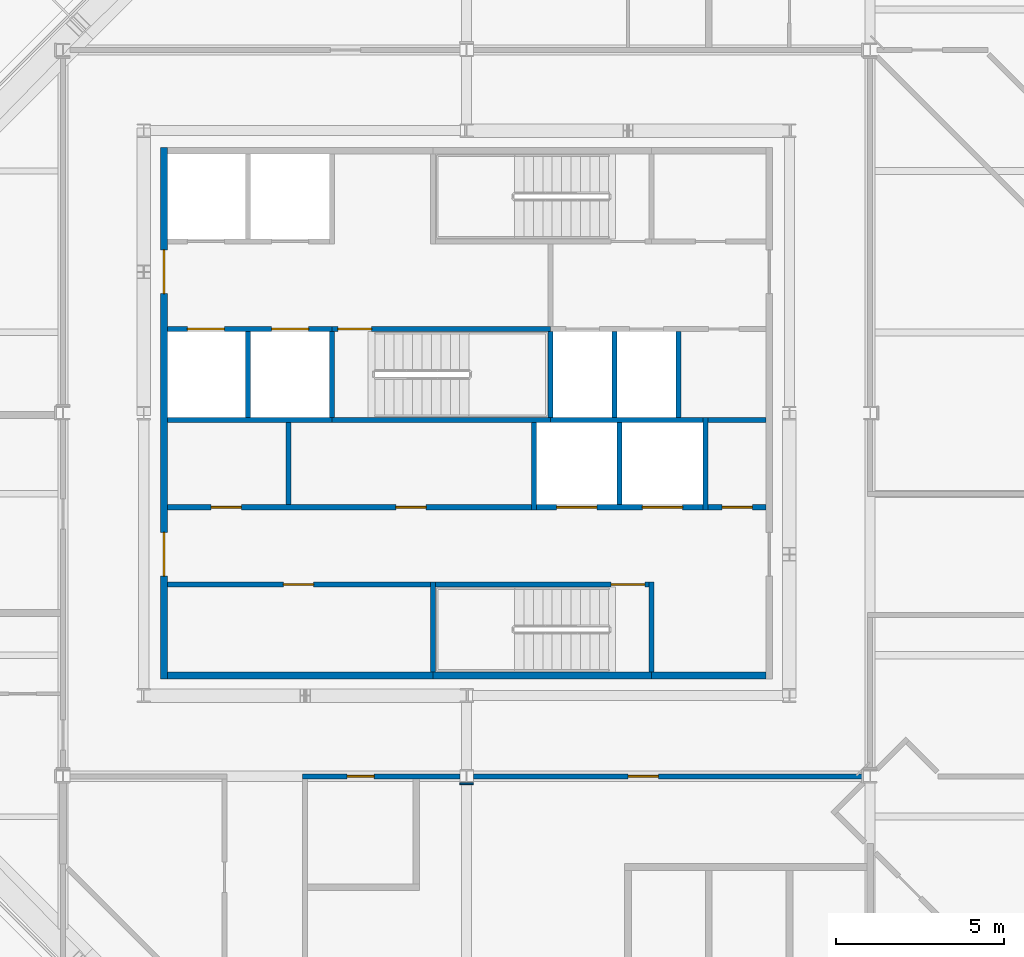
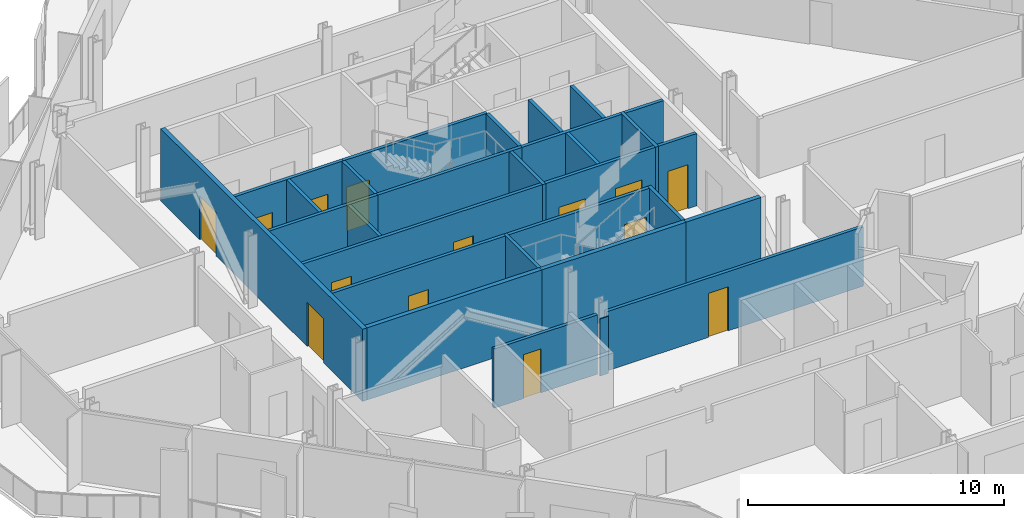
# One storey, part 8 of 17: 29 walls, 14 doors, 14 openings.
"""IFC4 building model written with IfcOpenShell, lengths in metres."""

from ifc_helpers import new_model, si_unit, direction, frame, frame_2d, origin, place, context, subcontext, project, spatial, rectangle, extrude, material, layer, layer_set, type_object, element, fill, save


model = new_model("IFC4")

# Units and contexts
model_context = context("Model", 3, precision=1e-05, world=origin(), true_north=direction((0.0, 1.0)))
body_context = subcontext(model_context, "Body", "Model", "MODEL_VIEW")
ifc_project = project(units=[si_unit("LENGTHUNIT", "METRE"), si_unit("AREAUNIT", "SQUARE_METRE"), si_unit("VOLUMEUNIT", "CUBIC_METRE"), si_unit("PLANEANGLEUNIT", "RADIAN"), si_unit("MASSUNIT", "GRAM", prefix="KILO")], contexts=[model_context])

# Site, building, storey
site_placement = place(None, origin())
site = spatial("IfcSite", under=ifc_project, at=site_placement, CompositionType="ELEMENT")
building_placement = place(site_placement, origin())
building = spatial("IfcBuilding", under=site, at=building_placement, Name="Cairn Pilgrim Tower", CompositionType="ELEMENT")
storey_placement = place(building_placement, frame((0.0, 0.0, 214.199951171875)))
storey = spatial("IfcBuildingStorey", under=building, at=storey_placement, Name="L54", CompositionType="ELEMENT", Elevation=214.199951171875)

# Walls
ifc_material_1 = material(Name="Concrete C32/40", Category="concrete")
ifc_layer_1 = layer(ifc_material_1, 0.199951171875)
ifc_layer_set_1 = layer_set([ifc_layer_1], Name="CORE OUTER WALL 200 EI 120")
wall_type_1 = type_object("IfcWallType", Name="CORE OUTER WALL 200 EI 120", PredefinedType="SOLIDWALL", material=ifc_layer_set_1)
wall_1_placement = place(storey_placement, frame((-1.699951171875, -5.39990234375, 0.0), z_axis=(0.0, 0.0, 1.0), x_axis=(1.0, 0.0, 0.0)))
element("IfcWall", 1, at=wall_1_placement, inside=storey, type_object=wall_type_1, Name="CW:L54:H01-1", PredefinedType="SOLIDWALL", context=body_context, shape_type="SweptSolid", body=[
    extrude(rectangle(XDim=7.89990234375, YDim=0.199951171875, at=frame_2d((3.949951171875, 0.0))), origin(), (0.0, 0.0, 1.0), 3.449951171875),
])
wall_2_placement = place(storey_placement, frame((12.699951171875, -5.39990234375, 0.0), z_axis=(0.0, 0.0, 1.0), x_axis=(1.0, 0.0, 0.0)))
element("IfcWall", 2, at=wall_2_placement, inside=storey, type_object=wall_type_1, Name="CW:L54:H01-3", PredefinedType="SOLIDWALL", context=body_context, shape_type="SweptSolid", body=[
    extrude(rectangle(XDim=3.400146484375, YDim=0.199951171875, at=frame_2d((1.7001953125, 0.0))), origin(), (0.0, 0.0, 1.0), 3.449951171875),
])

# Wall, openings, doors
wall_3_placement = place(storey_placement, frame((-1.800048828125, -5.5, 0.0), z_axis=(0.0, 0.0, 1.0), x_axis=(0.0, 1.0, 0.0)))
wall_3 = element("IfcWall", 3, at=wall_3_placement, inside=storey, type_object=wall_type_1, Name="CW:L54:V13", PredefinedType="SOLIDWALL", context=body_context, shape_type="SweptSolid", body=[
    extrude(rectangle(XDim=15.800048828125, YDim=0.199951171875, at=frame_2d((7.89990234375, 0.0))), origin(), (0.0, 0.0, 1.0), 3.449951171875),
])
opening_1_placement = place(wall_3_placement, frame((3.050048828125, 0.0, 0.0)))
opening_1 = element("IfcOpeningElement", 4, at=opening_1_placement, cuts=wall_3, Name="Opening CD-W1", PredefinedType="OPENING", context=body_context, shape_type="SweptSolid", body=[
    extrude(rectangle(XDim=1.300048828125, YDim=2.10009765625, at=frame_2d((0.64990234375, 1.050048828125))), frame((0.0, 0.10986328125, 0.0), z_axis=(0.0, -1.0, 0.0), x_axis=(1.0, 0.0, 0.0)), (0.0, 0.0, 1.0), 0.219970703125),
])
opening_2_placement = place(wall_3_placement, frame((11.449951171875, 0.0, 0.0)))
opening_2 = element("IfcOpeningElement", 5, at=opening_2_placement, cuts=wall_3, Name="Opening CD-W2", PredefinedType="OPENING", context=body_context, shape_type="SweptSolid", body=[
    extrude(rectangle(XDim=1.300048828125, YDim=2.10009765625, at=frame_2d((0.64990234375, 1.050048828125))), frame((0.0, 0.10986328125, 0.0), z_axis=(0.0, -1.0, 0.0), x_axis=(1.0, 0.0, 0.0)), (0.0, 0.0, 1.0), 0.219970703125),
])
ifc_material_2 = material(Name="Painted steel", Category="steel")
door_type_1 = type_object("IfcDoorType", Name="CORE LOBBY DOOR 1300x2100", OperationType="DOUBLE_DOOR_SINGLE_SWING", PredefinedType="DOOR", material=ifc_material_2)
door_1_placement = place(opening_1_placement, origin())
door_1 = element("IfcDoor", 6, at=door_1_placement, inside=storey, type_object=door_type_1, Name="CD-W1", OperationType="DOUBLE_DOOR_SINGLE_SWING", OverallHeight=2.10009765625, OverallWidth=1.300048828125, PredefinedType="DOOR", context=body_context, shape_type="SweptSolid", body=[
    extrude(rectangle(XDim=1.300048828125, YDim=2.10009765625, at=frame_2d((0.64990234375, 1.050048828125))), frame((0.0, 0.02490234375, 0.0), z_axis=(0.0, -1.0, 0.0), x_axis=(1.0, 0.0, 0.0)), (0.0, 0.0, 1.0), 0.050048828125),
])
fill(opening_1, door_1)
door_2_placement = place(opening_2_placement, origin())
door_2 = element("IfcDoor", 7, at=door_2_placement, inside=storey, type_object=door_type_1, Name="CD-W2", OperationType="DOUBLE_DOOR_SINGLE_SWING", OverallHeight=2.10009765625, OverallWidth=1.300048828125, PredefinedType="DOOR", context=body_context, shape_type="SweptSolid", body=[
    extrude(rectangle(XDim=1.300048828125, YDim=2.10009765625, at=frame_2d((0.64990234375, 1.050048828125))), frame((0.0, 0.02490234375, 0.0), z_axis=(0.0, -1.0, 0.0), x_axis=(1.0, 0.0, 0.0)), (0.0, 0.0, 1.0), 0.050048828125),
])
fill(opening_2, door_2)

# Wall, opening, door
ifc_layer_2 = layer(ifc_material_1, 0.14990234375)
ifc_layer_set_2 = layer_set([ifc_layer_2], Name="CORE PARTITION 150 EI 60")
wall_type_2 = type_object("IfcWallType", Name="CORE PARTITION 150 EI 60", PredefinedType="PARTITIONING", material=ifc_layer_set_2)
wall_4_placement = place(storey_placement, frame((-1.699951171875, -2.699951171875, 0.0), z_axis=(0.0, 0.0, 1.0), x_axis=(1.0, 0.0, 0.0)))
wall_4 = element("IfcWall", 8, at=wall_4_placement, inside=storey, type_object=wall_type_2, Name="CW:L54:H02", PredefinedType="PARTITIONING", context=body_context, shape_type="SweptSolid", body=[
    extrude(rectangle(XDim=7.824951171875, YDim=0.14990234375, at=frame_2d((3.91259765625, 0.0))), origin(), (0.0, 0.0, 1.0), 3.449951171875),
])
opening_3_placement = place(wall_4_placement, frame((3.449951171875, 0.0, 0.0)))
opening_3 = element("IfcOpeningElement", 9, at=opening_3_placement, cuts=wall_4, Name="Opening RD-R1W1", PredefinedType="OPENING", context=body_context, shape_type="SweptSolid", body=[
    extrude(rectangle(XDim=0.89990234375, YDim=2.10009765625, at=frame_2d((0.449951171875, 1.050048828125))), frame((0.0, 0.0849609375, 0.0), z_axis=(0.0, -1.0, 0.0), x_axis=(1.0, 0.0, 0.0)), (0.0, 0.0, 1.0), 0.169921875),
])
door_type_2 = type_object("IfcDoorType", Name="SERVICE ROOM DOOR 900x2100", OperationType="SINGLE_SWING_LEFT", PredefinedType="DOOR", material=ifc_material_2)
door_3_placement = place(opening_3_placement, origin())
door_3 = element("IfcDoor", 10, at=door_3_placement, inside=storey, type_object=door_type_2, Name="RD-R1W1", OperationType="SINGLE_SWING_LEFT", OverallHeight=2.10009765625, OverallWidth=0.89990234375, PredefinedType="DOOR", context=body_context, shape_type="SweptSolid", body=[
    extrude(rectangle(XDim=0.89990234375, YDim=2.10009765625, at=frame_2d((0.449951171875, 1.050048828125))), frame((0.0, 0.02490234375, 0.0), z_axis=(0.0, -1.0, 0.0), x_axis=(1.0, 0.0, 0.0)), (0.0, 0.0, 1.0), 0.050048828125),
])
fill(opening_3, door_3)

# Wall, openings, doors
wall_5_placement = place(storey_placement, frame((-1.699951171875, -0.39990234375, 0.0), z_axis=(0.0, 0.0, 1.0), x_axis=(1.0, 0.0, 0.0)))
wall_5 = element("IfcWall", 11, at=wall_5_placement, inside=storey, type_object=wall_type_2, Name="CW:L54:H04", PredefinedType="PARTITIONING", context=body_context, shape_type="SweptSolid", body=[
    extrude(rectangle(XDim=10.824951171875, YDim=0.14990234375, at=frame_2d((5.41259765625, 0.0))), origin(), (0.0, 0.0, 1.0), 3.449951171875),
])
opening_4_placement = place(wall_5_placement, frame((1.300048828125, 0.0, 0.0)))
opening_4 = element("IfcOpeningElement", 12, at=opening_4_placement, cuts=wall_5, Name="Opening RD-R2W1", PredefinedType="OPENING", context=body_context, shape_type="SweptSolid", body=[
    extrude(rectangle(XDim=0.89990234375, YDim=2.10009765625, at=frame_2d((0.449951171875, 1.050048828125))), frame((0.0, 0.0849609375, 0.0), z_axis=(0.0, -1.0, 0.0), x_axis=(1.0, 0.0, 0.0)), (0.0, 0.0, 1.0), 0.169921875),
])
opening_5_placement = place(wall_5_placement, frame((6.800048828125, 0.0, 0.0)))
opening_5 = element("IfcOpeningElement", 13, at=opening_5_placement, cuts=wall_5, Name="Opening RD-R2W2", PredefinedType="OPENING", context=body_context, shape_type="SweptSolid", body=[
    extrude(rectangle(XDim=0.89990234375, YDim=2.10009765625, at=frame_2d((0.449951171875, 1.050048828125))), frame((0.0, 0.0849609375, 0.0), z_axis=(0.0, -1.0, 0.0), x_axis=(1.0, 0.0, 0.0)), (0.0, 0.0, 1.0), 0.169921875),
])
door_4_placement = place(opening_4_placement, origin())
door_4 = element("IfcDoor", 14, at=door_4_placement, inside=storey, type_object=door_type_2, Name="RD-R2W1", OperationType="SINGLE_SWING_RIGHT", OverallHeight=2.10009765625, OverallWidth=0.89990234375, PredefinedType="DOOR", context=body_context, shape_type="SweptSolid", body=[
    extrude(rectangle(XDim=0.89990234375, YDim=2.10009765625, at=frame_2d((0.449951171875, 1.050048828125))), frame((0.0, 0.02490234375, 0.0), z_axis=(0.0, -1.0, 0.0), x_axis=(1.0, 0.0, 0.0)), (0.0, 0.0, 1.0), 0.050048828125),
])
fill(opening_4, door_4)
door_5_placement = place(opening_5_placement, origin())
door_5 = element("IfcDoor", 15, at=door_5_placement, inside=storey, type_object=door_type_2, Name="RD-R2W2", OperationType="SINGLE_SWING_LEFT", OverallHeight=2.10009765625, OverallWidth=0.89990234375, PredefinedType="DOOR", context=body_context, shape_type="SweptSolid", body=[
    extrude(rectangle(XDim=0.89990234375, YDim=2.10009765625, at=frame_2d((0.449951171875, 1.050048828125))), frame((0.0, 0.02490234375, 0.0), z_axis=(0.0, -1.0, 0.0), x_axis=(1.0, 0.0, 0.0)), (0.0, 0.0, 1.0), 0.050048828125),
])
fill(opening_5, door_5)

# Wall, opening, door
wall_6_placement = place(storey_placement, frame((14.375, -0.39990234375, 0.0), z_axis=(0.0, 0.0, 1.0), x_axis=(1.0, 0.0, 0.0)))
wall_6 = element("IfcWall", 16, at=wall_6_placement, inside=storey, type_object=wall_type_2, Name="CW:L54:H06", PredefinedType="PARTITIONING", context=body_context, shape_type="SweptSolid", body=[
    extrude(rectangle(XDim=1.72509765625, YDim=0.14990234375, at=frame_2d((0.862548828125, 0.0))), origin(), (0.0, 0.0, 1.0), 3.449951171875),
])
opening_6_placement = place(wall_6_placement, frame((0.425048828125, 0.0, 0.0)))
opening_6 = element("IfcOpeningElement", 17, at=opening_6_placement, cuts=wall_6, Name="Opening RD-R2E", PredefinedType="OPENING", context=body_context, shape_type="SweptSolid", body=[
    extrude(rectangle(XDim=0.89990234375, YDim=2.10009765625, at=frame_2d((0.449951171875, 1.050048828125))), frame((0.0, 0.0849609375, 0.0), z_axis=(0.0, -1.0, 0.0), x_axis=(1.0, 0.0, 0.0)), (0.0, 0.0, 1.0), 0.169921875),
])
door_6_placement = place(opening_6_placement, origin())
door_6 = element("IfcDoor", 18, at=door_6_placement, inside=storey, type_object=door_type_2, Name="RD-R2E", OperationType="SINGLE_SWING_RIGHT", OverallHeight=2.10009765625, OverallWidth=0.89990234375, PredefinedType="DOOR", context=body_context, shape_type="SweptSolid", body=[
    extrude(rectangle(XDim=0.89990234375, YDim=2.10009765625, at=frame_2d((0.449951171875, 1.050048828125))), frame((0.0, 0.02490234375, 0.0), z_axis=(0.0, -1.0, 0.0), x_axis=(1.0, 0.0, 0.0)), (0.0, 0.0, 1.0), 0.050048828125),
])
fill(opening_6, door_6)

# Walls
wall_7_placement = place(storey_placement, frame((14.375, 2.199951171875, 0.0), z_axis=(0.0, 0.0, 1.0), x_axis=(1.0, 0.0, 0.0)))
element("IfcWall", 19, at=wall_7_placement, inside=storey, type_object=wall_type_2, Name="CW:L54:H08", PredefinedType="PARTITIONING", context=body_context, shape_type="SweptSolid", body=[
    extrude(rectangle(XDim=1.72509765625, YDim=0.14990234375, at=frame_2d((0.862548828125, 0.0))), origin(), (0.0, 0.0, 1.0), 3.449951171875),
])
wall_8_placement = place(storey_placement, frame((1.89990234375, -0.324951171875, 0.0), z_axis=(0.0, 0.0, 1.0), x_axis=(0.0, 1.0, 0.0)))
element("IfcWall", 20, at=wall_8_placement, inside=storey, type_object=wall_type_2, Name="CW:L54:V16", PredefinedType="PARTITIONING", context=body_context, shape_type="SweptSolid", body=[
    extrude(rectangle(XDim=2.449951171875, YDim=0.14990234375, at=frame_2d((1.22509765625, 0.0))), origin(), (0.0, 0.0, 1.0), 3.449951171875),
])

# Wall, openings, doors
ifc_layer_3 = layer(ifc_material_1, 0.14990234375)
ifc_layer_set_3 = layer_set([ifc_layer_3], Name="CORE SHAFT WALL 150 EI 120")
wall_type_3 = type_object("IfcWallType", Name="CORE SHAFT WALL 150 EI 120", PredefinedType="SOLIDWALL", material=ifc_layer_set_3)
wall_9_placement = place(storey_placement, frame((9.27490234375, -0.39990234375, 0.0), z_axis=(0.0, 0.0, 1.0), x_axis=(1.0, 0.0, 0.0)))
wall_9 = element("IfcWall", 21, at=wall_9_placement, inside=storey, type_object=wall_type_3, Name="CW:L54:H05", PredefinedType="SOLIDWALL", context=body_context, shape_type="SweptSolid", body=[
    extrude(rectangle(XDim=4.9501953125, YDim=0.14990234375, at=frame_2d((2.47509765625, 0.0))), origin(), (0.0, 0.0, 1.0), 3.449951171875),
])
opening_7_placement = place(wall_9_placement, frame((0.60009765625, 0.0, 0.0)))
opening_7 = element("IfcOpeningElement", 22, at=opening_7_placement, cuts=wall_9, Name="Opening LD-SV1", PredefinedType="OPENING", context=body_context, shape_type="SweptSolid", body=[
    extrude(rectangle(XDim=1.199951171875, YDim=2.10009765625, at=frame_2d((0.60009765625, 1.050048828125))), frame((0.0, 0.0849609375, 0.0), z_axis=(0.0, -1.0, 0.0), x_axis=(1.0, 0.0, 0.0)), (0.0, 0.0, 1.0), 0.169921875),
])
opening_8_placement = place(wall_9_placement, frame((3.14990234375, 0.0, 0.0)))
opening_8 = element("IfcOpeningElement", 23, at=opening_8_placement, cuts=wall_9, Name="Opening LD-SV2", PredefinedType="OPENING", context=body_context, shape_type="SweptSolid", body=[
    extrude(rectangle(XDim=1.199951171875, YDim=2.10009765625, at=frame_2d((0.60009765625, 1.050048828125))), frame((0.0, 0.0849609375, 0.0), z_axis=(0.0, -1.0, 0.0), x_axis=(1.0, 0.0, 0.0)), (0.0, 0.0, 1.0), 0.169921875),
])
ifc_material_3 = material(Name="Stainless steel", Category="steel")
door_type_3 = type_object("IfcDoorType", Name="LIFT LANDING DOOR 1200x2100", OperationType="DOUBLE_DOOR_SLIDING", PredefinedType="DOOR", material=ifc_material_3)
door_7_placement = place(opening_7_placement, origin())
door_7 = element("IfcDoor", 24, at=door_7_placement, inside=storey, type_object=door_type_3, Name="LANDING DOOR SV1", OperationType="DOUBLE_DOOR_SLIDING", OverallHeight=2.10009765625, OverallWidth=1.199951171875, PredefinedType="DOOR", context=body_context, shape_type="SweptSolid", body=[
    extrude(rectangle(XDim=1.199951171875, YDim=2.10009765625, at=frame_2d((0.60009765625, 1.050048828125))), frame((0.0, 0.02490234375, 0.0), z_axis=(0.0, -1.0, 0.0), x_axis=(1.0, 0.0, 0.0)), (0.0, 0.0, 1.0), 0.050048828125),
])
fill(opening_7, door_7)
door_8_placement = place(opening_8_placement, origin())
door_8 = element("IfcDoor", 25, at=door_8_placement, inside=storey, type_object=door_type_3, Name="LANDING DOOR SV2", OperationType="DOUBLE_DOOR_SLIDING", OverallHeight=2.10009765625, OverallWidth=1.199951171875, PredefinedType="DOOR", context=body_context, shape_type="SweptSolid", body=[
    extrude(rectangle(XDim=1.199951171875, YDim=2.10009765625, at=frame_2d((0.60009765625, 1.050048828125))), frame((0.0, 0.02490234375, 0.0), z_axis=(0.0, -1.0, 0.0), x_axis=(1.0, 0.0, 0.0)), (0.0, 0.0, 1.0), 0.050048828125),
])
fill(opening_8, door_8)

# Walls
wall_10_placement = place(storey_placement, frame((-1.699951171875, 2.199951171875, 0.0), z_axis=(0.0, 0.0, 1.0), x_axis=(1.0, 0.0, 0.0)))
element("IfcWall", 26, at=wall_10_placement, inside=storey, type_object=wall_type_3, Name="CW:L54:H07-1", PredefinedType="SOLIDWALL", context=body_context, shape_type="SweptSolid", body=[
    extrude(rectangle(XDim=4.89990234375, YDim=0.14990234375, at=frame_2d((2.449951171875, 0.0))), origin(), (0.0, 0.0, 1.0), 3.449951171875),
])
wall_11_placement = place(storey_placement, frame((9.699951171875, 2.199951171875, 0.0), z_axis=(0.0, 0.0, 1.0), x_axis=(1.0, 0.0, 0.0)))
element("IfcWall", 27, at=wall_11_placement, inside=storey, type_object=wall_type_3, Name="CW:L54:H07-3", PredefinedType="SOLIDWALL", context=body_context, shape_type="SweptSolid", body=[
    extrude(rectangle(XDim=4.525146484375, YDim=0.14990234375, at=frame_2d((2.2626953125, 0.0))), origin(), (0.0, 0.0, 1.0), 3.449951171875),
])

# Wall, openings, doors
wall_12_placement = place(storey_placement, frame((-1.699951171875, 4.89990234375, 0.0), z_axis=(0.0, 0.0, 1.0), x_axis=(1.0, 0.0, 0.0)))
wall_12 = element("IfcWall", 28, at=wall_12_placement, inside=storey, type_object=wall_type_3, Name="CW:L54:H09-1", PredefinedType="SOLIDWALL", context=body_context, shape_type="SweptSolid", body=[
    extrude(rectangle(XDim=4.89990234375, YDim=0.14990234375, at=frame_2d((2.449951171875, 0.0))), origin(), (0.0, 0.0, 1.0), 3.449951171875),
])
opening_9_placement = place(wall_12_placement, frame((0.60009765625, 0.0, 0.0)))
opening_9 = element("IfcOpeningElement", 29, at=opening_9_placement, cuts=wall_12, Name="Opening LD-HR1", PredefinedType="OPENING", context=body_context, shape_type="SweptSolid", body=[
    extrude(rectangle(XDim=1.10009765625, YDim=2.10009765625, at=frame_2d((0.550048828125, 1.050048828125))), frame((0.0, 0.0849609375, 0.0), z_axis=(0.0, -1.0, 0.0), x_axis=(1.0, 0.0, 0.0)), (0.0, 0.0, 1.0), 0.169921875),
])
opening_10_placement = place(wall_12_placement, frame((3.10009765625, 0.0, 0.0)))
opening_10 = element("IfcOpeningElement", 30, at=opening_10_placement, cuts=wall_12, Name="Opening LD-HR2", PredefinedType="OPENING", context=body_context, shape_type="SweptSolid", body=[
    extrude(rectangle(XDim=1.10009765625, YDim=2.10009765625, at=frame_2d((0.550048828125, 1.050048828125))), frame((0.0, 0.0849609375, 0.0), z_axis=(0.0, -1.0, 0.0), x_axis=(1.0, 0.0, 0.0)), (0.0, 0.0, 1.0), 0.169921875),
])
door_type_4 = type_object("IfcDoorType", Name="LIFT LANDING DOOR 1100x2100", OperationType="DOUBLE_DOOR_SLIDING", PredefinedType="DOOR", material=ifc_material_3)
door_9_placement = place(opening_9_placement, origin())
door_9 = element("IfcDoor", 31, at=door_9_placement, inside=storey, type_object=door_type_4, Name="LANDING DOOR HR1", OperationType="DOUBLE_DOOR_SLIDING", OverallHeight=2.10009765625, OverallWidth=1.10009765625, PredefinedType="DOOR", context=body_context, shape_type="SweptSolid", body=[
    extrude(rectangle(XDim=1.10009765625, YDim=2.10009765625, at=frame_2d((0.550048828125, 1.050048828125))), frame((0.0, 0.02490234375, 0.0), z_axis=(0.0, -1.0, 0.0), x_axis=(1.0, 0.0, 0.0)), (0.0, 0.0, 1.0), 0.050048828125),
])
fill(opening_9, door_9)
door_10_placement = place(opening_10_placement, origin())
door_10 = element("IfcDoor", 32, at=door_10_placement, inside=storey, type_object=door_type_4, Name="LANDING DOOR HR2", OperationType="DOUBLE_DOOR_SLIDING", OverallHeight=2.10009765625, OverallWidth=1.10009765625, PredefinedType="DOOR", context=body_context, shape_type="SweptSolid", body=[
    extrude(rectangle(XDim=1.10009765625, YDim=2.10009765625, at=frame_2d((0.550048828125, 1.050048828125))), frame((0.0, 0.02490234375, 0.0), z_axis=(0.0, -1.0, 0.0), x_axis=(1.0, 0.0, 0.0)), (0.0, 0.0, 1.0), 0.050048828125),
])
fill(opening_10, door_10)

# Walls
wall_13_placement = place(storey_placement, frame((0.699951171875, 2.27490234375, 0.0), z_axis=(0.0, 0.0, 1.0), x_axis=(0.0, 1.0, 0.0)))
element("IfcWall", 33, at=wall_13_placement, inside=storey, type_object=wall_type_3, Name="CW:L54:V14", PredefinedType="SOLIDWALL", context=body_context, shape_type="SweptSolid", body=[
    extrude(rectangle(XDim=2.550048828125, YDim=0.14990234375, at=frame_2d((1.27490234375, 0.0))), origin(), (0.0, 0.0, 1.0), 3.449951171875),
])
wall_14_placement = place(storey_placement, frame((9.199951171875, -0.47509765625, 0.0), z_axis=(0.0, 0.0, 1.0), x_axis=(0.0, 1.0, 0.0)))
element("IfcWall", 34, at=wall_14_placement, inside=storey, type_object=wall_type_3, Name="CW:L54:V21", PredefinedType="SOLIDWALL", context=body_context, shape_type="SweptSolid", body=[
    extrude(rectangle(XDim=2.60009765625, YDim=0.14990234375, at=frame_2d((1.300048828125, 0.0))), origin(), (0.0, 0.0, 1.0), 3.449951171875),
])
wall_15_placement = place(storey_placement, frame((11.60009765625, 2.27490234375, 0.0), z_axis=(0.0, 0.0, 1.0), x_axis=(0.0, 1.0, 0.0)))
element("IfcWall", 35, at=wall_15_placement, inside=storey, type_object=wall_type_3, Name="CW:L54:V24", PredefinedType="SOLIDWALL", context=body_context, shape_type="SweptSolid", body=[
    extrude(rectangle(XDim=2.550048828125, YDim=0.14990234375, at=frame_2d((1.27490234375, 0.0))), origin(), (0.0, 0.0, 1.0), 3.449951171875),
])
wall_16_placement = place(storey_placement, frame((11.75, -0.324951171875, 0.0), z_axis=(0.0, 0.0, 1.0), x_axis=(0.0, 1.0, 0.0)))
element("IfcWall", 36, at=wall_16_placement, inside=storey, type_object=wall_type_3, Name="CW:L54:V25", PredefinedType="SOLIDWALL", context=body_context, shape_type="SweptSolid", body=[
    extrude(rectangle(XDim=2.449951171875, YDim=0.14990234375, at=frame_2d((1.22509765625, 0.0))), origin(), (0.0, 0.0, 1.0), 3.449951171875),
])
wall_17_placement = place(storey_placement, frame((13.5, 2.27490234375, 0.0), z_axis=(0.0, 0.0, 1.0), x_axis=(0.0, 1.0, 0.0)))
element("IfcWall", 37, at=wall_17_placement, inside=storey, type_object=wall_type_3, Name="CW:L54:V28", PredefinedType="SOLIDWALL", context=body_context, shape_type="SweptSolid", body=[
    extrude(rectangle(XDim=2.550048828125, YDim=0.14990234375, at=frame_2d((1.27490234375, 0.0))), origin(), (0.0, 0.0, 1.0), 3.449951171875),
])
wall_18_placement = place(storey_placement, frame((14.300048828125, -0.47509765625, 0.0), z_axis=(0.0, 0.0, 1.0), x_axis=(0.0, 1.0, 0.0)))
element("IfcWall", 38, at=wall_18_placement, inside=storey, type_object=wall_type_3, Name="CW:L54:V29", PredefinedType="SOLIDWALL", context=body_context, shape_type="SweptSolid", body=[
    extrude(rectangle(XDim=2.75, YDim=0.14990234375, at=frame_2d((1.375, 0.0))), origin(), (0.0, 0.0, 1.0), 3.449951171875),
])

# Wall, opening, door
ifc_material_4 = material(Name="Gypsum partition")
ifc_layer_4 = layer(ifc_material_4, 0.14990234375)
ifc_layer_set_4 = layer_set([ifc_layer_4], Name="PARTITION 150 DRYWALL EI 60")
wall_type_4 = type_object("IfcWallType", Name="PARTITION 150 DRYWALL EI 60", PredefinedType="PARTITIONING", material=ifc_layer_set_4)
wall_19_placement = place(storey_placement, frame((2.324951171875, -8.39990234375, 0.0), z_axis=(0.0, 0.0, 1.0), x_axis=(1.0, 0.0, 0.0)))
wall_19 = element("IfcWall", 39, at=wall_19_placement, inside=storey, type_object=wall_type_4, Name="PARTITION W036", PredefinedType="PARTITIONING", context=body_context, shape_type="SweptSolid", body=[
    extrude(rectangle(XDim=4.675537109375, YDim=0.14990234375, at=frame_2d((2.337890625, 0.0))), origin(), (0.0, 0.0, 1.0), 2.830078125),
])
opening_11_placement = place(wall_19_placement, frame((1.324951171875, 0.0, 0.0)))
opening_11 = element("IfcOpeningElement", 40, at=opening_11_placement, cuts=wall_19, Name="Opening 5413", PredefinedType="OPENING", context=body_context, shape_type="SweptSolid", body=[
    extrude(rectangle(XDim=0.800048828125, YDim=2.10009765625, at=frame_2d((0.39990234375, 1.050048828125))), frame((0.0, 0.0849609375, 0.0), z_axis=(0.0, -1.0, 0.0), x_axis=(1.0, 0.0, 0.0)), (0.0, 0.0, 1.0), 0.169921875),
])
ifc_material_5 = material(Name="Timber door leaf", Category="wood")
door_type_5 = type_object("IfcDoorType", Name="WC DOOR 800x2100 FD30S", OperationType="NOTDEFINED", PredefinedType="DOOR", material=ifc_material_5)
door_11_placement = place(opening_11_placement, frame((0.800048828125, 0.0, 0.0), z_axis=(0.0, 0.0, 1.0), x_axis=(-1.0, 0.0, 0.0)))
door_11 = element("IfcDoor", 41, at=door_11_placement, inside=storey, type_object=door_type_5, Name="DOOR 5413", OperationType="SINGLE_SWING_RIGHT", OverallHeight=2.10009765625, OverallWidth=0.800048828125, PredefinedType="DOOR", context=body_context, shape_type="SweptSolid", body=[
    extrude(rectangle(XDim=0.800048828125, YDim=2.10009765625, at=frame_2d((0.39990234375, 1.050048828125))), frame((0.0, 0.02490234375, 0.0), z_axis=(0.0, -1.0, 0.0), x_axis=(1.0, 0.0, 0.0)), (0.0, 0.0, 1.0), 0.050048828125),
])
fill(opening_11, door_11)

wall_20_placement = place(storey_placement, frame((7.3994140625, -8.39990234375, 0.0), z_axis=(0.0, 0.0, 1.0), x_axis=(1.0, 0.0, 0.0)))
wall_20 = element("IfcWall", 42, at=wall_20_placement, inside=storey, type_object=wall_type_4, Name="PARTITION W037", PredefinedType="PARTITIONING", context=body_context, shape_type="SweptSolid", body=[
    extrude(rectangle(XDim=11.60107421875, YDim=0.14990234375, at=frame_2d((5.800537109375, 0.0))), origin(), (0.0, 0.0, 1.0), 2.830078125),
])
opening_12_placement = place(wall_20_placement, frame((4.6005859375, 0.0, 0.0)))
opening_12 = element("IfcOpeningElement", 43, at=opening_12_placement, cuts=wall_20, Name="Opening 5421", PredefinedType="OPENING", context=body_context, shape_type="SweptSolid", body=[
    extrude(rectangle(XDim=0.89990234375, YDim=2.10009765625, at=frame_2d((0.449951171875, 1.050048828125))), frame((0.0, 0.0849609375, 0.0), z_axis=(0.0, -1.0, 0.0), x_axis=(1.0, 0.0, 0.0)), (0.0, 0.0, 1.0), 0.169921875),
])
door_type_6 = type_object("IfcDoorType", Name="SERVICE DOOR 900x2100 FD30S", OperationType="NOTDEFINED", PredefinedType="DOOR", material=ifc_material_5)
door_12_placement = place(opening_12_placement, frame((0.89990234375, 0.0, 0.0), z_axis=(0.0, 0.0, 1.0), x_axis=(-1.0, 0.0, 0.0)))
door_12 = element("IfcDoor", 44, at=door_12_placement, inside=storey, type_object=door_type_6, Name="DOOR 5421", OperationType="SINGLE_SWING_LEFT", OverallHeight=2.10009765625, OverallWidth=0.89990234375, PredefinedType="DOOR", context=body_context, shape_type="SweptSolid", body=[
    extrude(rectangle(XDim=0.89990234375, YDim=2.10009765625, at=frame_2d((0.449951171875, 1.050048828125))), frame((0.0, 0.02490234375, 0.0), z_axis=(0.0, -1.0, 0.0), x_axis=(1.0, 0.0, 0.0)), (0.0, 0.0, 1.0), 0.050048828125),
])
fill(opening_12, door_12)

# Wall
ifc_layer_5 = layer(ifc_material_4, 0.050048828125)
ifc_layer_set_5 = layer_set([ifc_layer_5], Name="PARTITION 50 DRYWALL EI 60")
wall_type_5 = type_object("IfcWallType", Name="PARTITION 50 DRYWALL EI 60", PredefinedType="PARTITIONING", material=ifc_layer_set_5)
wall_21_placement = place(storey_placement, frame((7.00048828125, -8.62158203125, 0.0), z_axis=(0.0, 0.0, 1.0), x_axis=(1.0, 0.0, 0.0)))
element("IfcWall", 45, at=wall_21_placement, inside=storey, type_object=wall_type_5, Name="COLUMN CASING WC11", PredefinedType="PARTITIONING", context=body_context, shape_type="SweptSolid", body=[
    extrude(rectangle(XDim=0.39892578125, YDim=0.050048828125, at=frame_2d((0.199462890625, 0.0))), origin(), (0.0, 0.0, 1.0), 2.72998046875),
])

# Wall, opening, door
ifc_material_6 = material(Name="Concrete C35/45", Category="concrete")
ifc_layer_6 = layer(ifc_material_6, 0.14990234375)
ifc_layer_set_6 = layer_set([ifc_layer_6], Name="STAIR SHAFT WALL 150 EI 120")
wall_type_6 = type_object("IfcWallType", Name="STAIR SHAFT WALL 150 EI 120", PredefinedType="SOLIDWALL", material=ifc_layer_set_6)
wall_22_placement = place(storey_placement, frame((6.27490234375, -2.699951171875, 0.0), z_axis=(0.0, 0.0, 1.0), x_axis=(1.0, 0.0, 0.0)))
wall_22 = element("IfcWall", 46, at=wall_22_placement, inside=storey, type_object=wall_type_6, Name="CW:L54:H03", PredefinedType="SOLIDWALL", context=body_context, shape_type="SweptSolid", body=[
    extrude(rectangle(XDim=6.35009765625, YDim=0.14990234375, at=frame_2d((3.175048828125, 0.0))), origin(), (0.0, 0.0, 1.0), 3.449951171875),
])
opening_13_placement = place(wall_22_placement, frame((5.22509765625, 0.0, 0.0)))
opening_13 = element("IfcOpeningElement", 47, at=opening_13_placement, cuts=wall_22, Name="Opening SD-A", PredefinedType="OPENING", context=body_context, shape_type="SweptSolid", body=[
    extrude(rectangle(XDim=1.0, YDim=2.10009765625, at=frame_2d((0.5, 1.050048828125))), frame((0.0, 0.0849609375, 0.0), z_axis=(0.0, -1.0, 0.0), x_axis=(1.0, 0.0, 0.0)), (0.0, 0.0, 1.0), 0.169921875),
])
door_type_7 = type_object("IfcDoorType", Name="STAIR DOOR FD60S 1000x2100", OperationType="SINGLE_SWING_LEFT", PredefinedType="DOOR", material=ifc_material_2)
door_13_placement = place(opening_13_placement, origin())
door_13 = element("IfcDoor", 48, at=door_13_placement, inside=storey, type_object=door_type_7, Name="SD-A", OperationType="SINGLE_SWING_LEFT", OverallHeight=2.10009765625, OverallWidth=1.0, PredefinedType="DOOR", context=body_context, shape_type="SweptSolid", body=[
    extrude(rectangle(XDim=1.0, YDim=2.10009765625, at=frame_2d((0.5, 1.050048828125))), frame((0.0, 0.02490234375, 0.0), z_axis=(0.0, -1.0, 0.0), x_axis=(1.0, 0.0, 0.0)), (0.0, 0.0, 1.0), 0.050048828125),
])
fill(opening_13, door_13)

# Wall
wall_23_placement = place(storey_placement, frame((3.199951171875, 2.199951171875, 0.0), z_axis=(0.0, 0.0, 1.0), x_axis=(1.0, 0.0, 0.0)))
element("IfcWall", 49, at=wall_23_placement, inside=storey, type_object=wall_type_6, Name="CW:L54:H07-2", PredefinedType="SOLIDWALL", context=body_context, shape_type="SweptSolid", body=[
    extrude(rectangle(XDim=6.5, YDim=0.14990234375, at=frame_2d((3.25, 0.0))), origin(), (0.0, 0.0, 1.0), 3.449951171875),
])

# Wall, opening, door
wall_24_placement = place(storey_placement, frame((3.199951171875, 4.89990234375, 0.0), z_axis=(0.0, 0.0, 1.0), x_axis=(1.0, 0.0, 0.0)))
wall_24 = element("IfcWall", 50, at=wall_24_placement, inside=storey, type_object=wall_type_6, Name="CW:L54:H09-2", PredefinedType="SOLIDWALL", context=body_context, shape_type="SweptSolid", body=[
    extrude(rectangle(XDim=6.5, YDim=0.14990234375, at=frame_2d((3.25, 0.0))), origin(), (0.0, 0.0, 1.0), 3.449951171875),
])
opening_14_placement = place(wall_24_placement, frame((0.175048828125, 0.0, 0.0)))
opening_14 = element("IfcOpeningElement", 51, at=opening_14_placement, cuts=wall_24, Name="Opening SD-B", PredefinedType="OPENING", context=body_context, shape_type="SweptSolid", body=[
    extrude(rectangle(XDim=1.0, YDim=2.10009765625, at=frame_2d((0.5, 1.050048828125))), frame((0.0, 0.0849609375, 0.0), z_axis=(0.0, -1.0, 0.0), x_axis=(1.0, 0.0, 0.0)), (0.0, 0.0, 1.0), 0.169921875),
])
door_14_placement = place(opening_14_placement, origin())
door_14 = element("IfcDoor", 52, at=door_14_placement, inside=storey, type_object=door_type_7, Name="SD-B", OperationType="SINGLE_SWING_RIGHT", OverallHeight=2.10009765625, OverallWidth=1.0, PredefinedType="DOOR", context=body_context, shape_type="SweptSolid", body=[
    extrude(rectangle(XDim=1.0, YDim=2.10009765625, at=frame_2d((0.5, 1.050048828125))), frame((0.0, 0.02490234375, 0.0), z_axis=(0.0, -1.0, 0.0), x_axis=(1.0, 0.0, 0.0)), (0.0, 0.0, 1.0), 0.050048828125),
])
fill(opening_14, door_14)

# Walls
wall_25_placement = place(storey_placement, frame((3.199951171875, 2.27490234375, 0.0), z_axis=(0.0, 0.0, 1.0), x_axis=(0.0, 1.0, 0.0)))
element("IfcWall", 53, at=wall_25_placement, inside=storey, type_object=wall_type_6, Name="CW:L54:V17", PredefinedType="SOLIDWALL", context=body_context, shape_type="SweptSolid", body=[
    extrude(rectangle(XDim=2.550048828125, YDim=0.14990234375, at=frame_2d((1.27490234375, 0.0))), origin(), (0.0, 0.0, 1.0), 3.449951171875),
])
wall_26_placement = place(storey_placement, frame((6.199951171875, -5.300048828125, 0.0), z_axis=(0.0, 0.0, 1.0), x_axis=(0.0, 1.0, 0.0)))
element("IfcWall", 54, at=wall_26_placement, inside=storey, type_object=wall_type_6, Name="CW:L54:V19", PredefinedType="SOLIDWALL", context=body_context, shape_type="SweptSolid", body=[
    extrude(rectangle(XDim=2.675048828125, YDim=0.14990234375, at=frame_2d((1.33740234375, 0.0))), origin(), (0.0, 0.0, 1.0), 3.449951171875),
])
wall_27_placement = place(storey_placement, frame((9.699951171875, 2.27490234375, 0.0), z_axis=(0.0, 0.0, 1.0), x_axis=(0.0, 1.0, 0.0)))
element("IfcWall", 55, at=wall_27_placement, inside=storey, type_object=wall_type_6, Name="CW:L54:V22", PredefinedType="SOLIDWALL", context=body_context, shape_type="SweptSolid", body=[
    extrude(rectangle(XDim=2.550048828125, YDim=0.14990234375, at=frame_2d((1.27490234375, 0.0))), origin(), (0.0, 0.0, 1.0), 3.449951171875),
])
wall_28_placement = place(storey_placement, frame((12.699951171875, -5.300048828125, 0.0), z_axis=(0.0, 0.0, 1.0), x_axis=(0.0, 1.0, 0.0)))
element("IfcWall", 56, at=wall_28_placement, inside=storey, type_object=wall_type_6, Name="CW:L54:V26", PredefinedType="SOLIDWALL", context=body_context, shape_type="SweptSolid", body=[
    extrude(rectangle(XDim=2.675048828125, YDim=0.14990234375, at=frame_2d((1.33740234375, 0.0))), origin(), (0.0, 0.0, 1.0), 3.449951171875),
])
ifc_layer_7 = layer(ifc_material_6, 0.199951171875)
ifc_layer_set_7 = layer_set([ifc_layer_7], Name="STAIR SHAFT WALL 200 EI 120")
wall_type_7 = type_object("IfcWallType", Name="STAIR SHAFT WALL 200 EI 120", PredefinedType="SOLIDWALL", material=ifc_layer_set_7)
wall_29_placement = place(storey_placement, frame((6.199951171875, -5.39990234375, 0.0), z_axis=(0.0, 0.0, 1.0), x_axis=(1.0, 0.0, 0.0)))
element("IfcWall", 57, at=wall_29_placement, inside=storey, type_object=wall_type_7, Name="CW:L54:H01-2", PredefinedType="SOLIDWALL", context=body_context, shape_type="SweptSolid", body=[
    extrude(rectangle(XDim=6.5, YDim=0.199951171875, at=frame_2d((3.25, 0.0))), origin(), (0.0, 0.0, 1.0), 3.449951171875),
])

save(model, "model.ifc")
